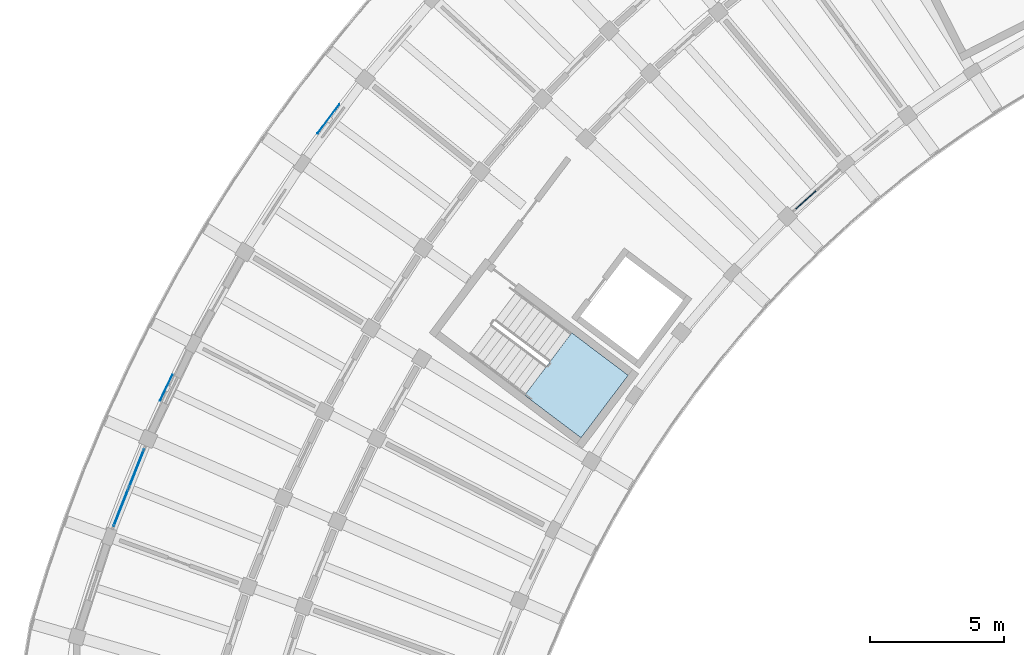
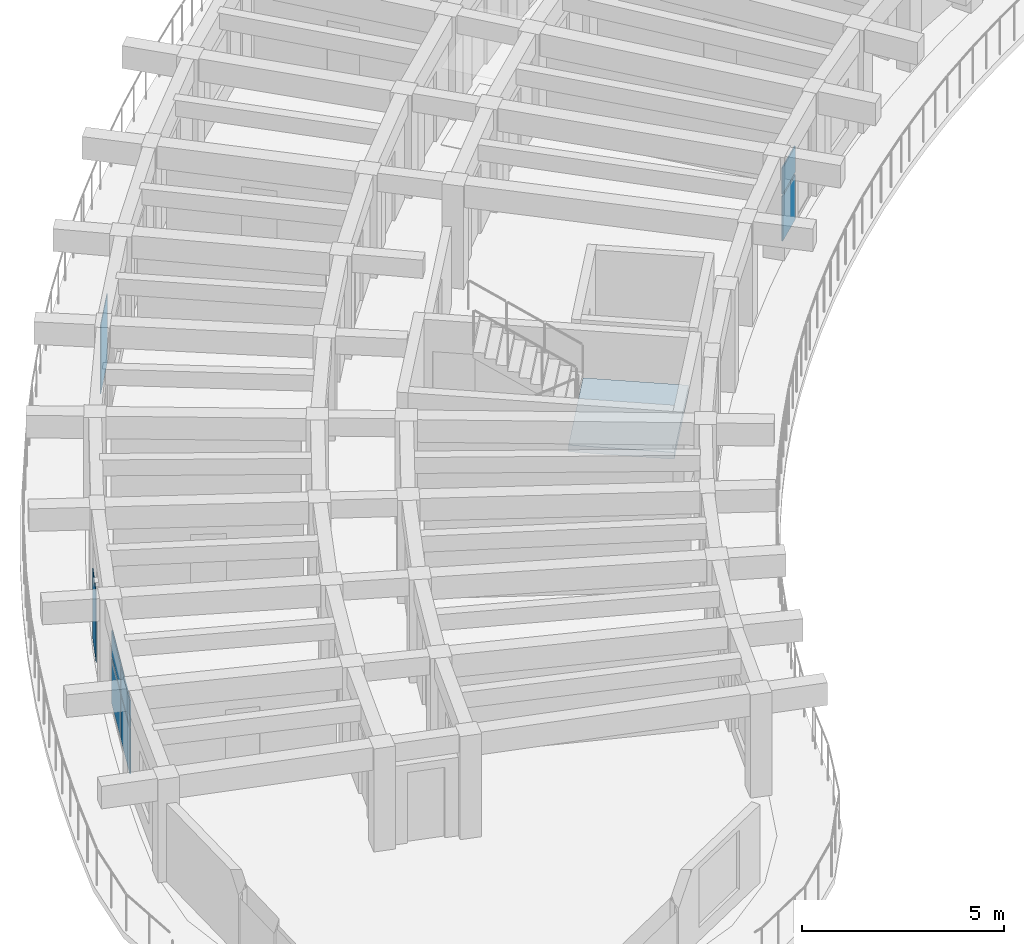
# One storey, part 32 of 81: 8 plates, 1 slab, 3 elements without a shape of their own.
"""IFC4 building model written with IfcOpenShell, lengths in metres."""

from ifc_helpers import new_model, si_unit, direction, frame, origin, origin_2d, place, context, subcontext, project, spatial, polyline, rectangle, outline, extrude, material, layer, layer_set, type_object, element, aggregate, save


model = new_model("IFC4")

# Units and contexts
model_context = context("Model", 3, precision=1e-05, world=origin(), true_north=direction((0.0, 1.0)))
body_context = subcontext(model_context, "Body", "Model", "MODEL_VIEW")
ifc_project = project(units=[si_unit("LENGTHUNIT", "METRE"), si_unit("AREAUNIT", "SQUARE_METRE"), si_unit("VOLUMEUNIT", "CUBIC_METRE"), si_unit("PLANEANGLEUNIT", "RADIAN"), si_unit("MASSUNIT", "GRAM", prefix="KILO")], contexts=[model_context])

# Site, building, storey
site_placement = place(None, origin())
site = spatial("IfcSite", under=ifc_project, at=site_placement, CompositionType="ELEMENT")
building_placement = place(site_placement, origin())
building = spatial("IfcBuilding", under=site, at=building_placement, Name="Tanwirah Colonnade Gardens", CompositionType="ELEMENT")
storey_placement = place(building_placement, frame((0.0, 0.0, 18.919921875)))
storey = spatial("IfcBuildingStorey", under=building, at=storey_placement, Name="L05", CompositionType="ELEMENT", Elevation=18.919921875)

# Curtain wall, plates
ifc_material_1 = material(Name="Bronze-anodised aluminium and solar-control low-E glass", Category="aluminium")
curtain_wall_type_1 = type_object("IfcCurtainWallType", Name="CW-GDN", PredefinedType="NOTDEFINED", material=ifc_material_1)
curtain_wall_1_placement = place(storey_placement, origin())
curtain_wall_1 = element("IfcCurtainWall", 1, at=curtain_wall_1_placement, inside=storey, type_object=curtain_wall_type_1, Name="Curtain Wall CW-A-L05-IN-09", PredefinedType="NOTDEFINED")
ifc_material_2 = material(Name="Acoustic solar-control low-E double glazing", Category="glass")
ifc_layer_1 = layer(ifc_material_2, 0.031982421875)
ifc_layer_set_1 = layer_set([ifc_layer_1], Name="Acoustic solar-control low-E double glazing")
plate_type_1 = type_object("IfcPlateType", Name="CWP-GLZ32", PredefinedType="CURTAIN_PANEL", material=ifc_layer_set_1)
plate_1_placement = place(storey_placement, frame((34.93896484375, 92.915283203125, 0.070068359375), z_axis=(0.0, 0.0, 1.0), x_axis=(-0.744440162253, -0.667689182798, 0.0)))
plate_1 = element("IfcPlate", 2, at=plate_1_placement, type_object=plate_type_1, Name="CW-GDN panel 2.1", PredefinedType="CURTAIN_PANEL", context=body_context, shape_type="SweptSolid", body=[
    extrude(rectangle(XDim=1.000244140625, YDim=0.031982421875, at=origin_2d()), origin(), (0.0, 0.0, 1.0), 1.35498046875),
])
plate_2_placement = place(storey_placement, frame((34.93896484375, 92.915283203125, 1.4951171875), z_axis=(0.0, 0.0, 1.0), x_axis=(-0.744440162253, -0.667689182798, 0.0)))
plate_2 = element("IfcPlate", 3, at=plate_2_placement, type_object=plate_type_1, Name="CW-GDN panel 2.2", PredefinedType="CURTAIN_PANEL", context=body_context, shape_type="SweptSolid", body=[
    extrude(rectangle(XDim=1.000244140625, YDim=0.031982421875, at=origin_2d()), origin(), (0.0, 0.0, 1.0), 0.789794921875),
])
aggregate(curtain_wall_1, [plate_1, plate_2])

curtain_wall_type_2 = type_object("IfcCurtainWallType", Name="CW-LOB", PredefinedType="NOTDEFINED", material=ifc_material_1)
curtain_wall_2_placement = place(storey_placement, origin())
curtain_wall_2 = element("IfcCurtainWall", 4, at=curtain_wall_2_placement, inside=storey, type_object=curtain_wall_type_2, Name="Curtain Wall CW-A-L05-OUT-16", PredefinedType="NOTDEFINED")
plate_3_placement = place(storey_placement, frame((9.976806640625, 82.90283203125, 0.070068359375), z_axis=(0.0, 0.0, 1.0), x_axis=(-0.369207655713, -0.929346924976, 0.0)))
plate_3 = element("IfcPlate", 5, at=plate_3_placement, type_object=plate_type_1, Name="CW-LOB panel 1.1", PredefinedType="CURTAIN_PANEL", context=body_context, shape_type="SweptSolid", body=[
    extrude(rectangle(XDim=1.497802734375, YDim=0.031982421875, at=origin_2d()), origin(), (0.0, 0.0, 1.0), 1.35498046875),
])
plate_4_placement = place(storey_placement, frame((9.976806640625, 82.90283203125, 1.4951171875), z_axis=(0.0, 0.0, 1.0), x_axis=(-0.369207655713, -0.929346924976, 0.0)))
plate_4 = element("IfcPlate", 6, at=plate_4_placement, type_object=plate_type_1, Name="CW-LOB panel 1.2", PredefinedType="CURTAIN_PANEL", context=body_context, shape_type="SweptSolid", body=[
    extrude(rectangle(XDim=1.497802734375, YDim=0.031982421875, at=origin_2d()), origin(), (0.0, 0.0, 1.0), 0.789794921875),
])
plate_5_placement = place(storey_placement, frame((9.39794921875, 81.44580078125, 0.070068359375), z_axis=(0.0, 0.0, 1.0), x_axis=(-0.369207655713, -0.929346924976, 0.0)))
plate_5 = element("IfcPlate", 7, at=plate_5_placement, type_object=plate_type_1, Name="CW-LOB panel 2.1", PredefinedType="CURTAIN_PANEL", context=body_context, shape_type="SweptSolid", body=[
    extrude(rectangle(XDim=1.497802734375, YDim=0.031982421875, at=origin_2d()), origin(), (0.0, 0.0, 1.0), 1.35498046875),
])
plate_6_placement = place(storey_placement, frame((9.39794921875, 81.44580078125, 1.4951171875), z_axis=(0.0, 0.0, 1.0), x_axis=(-0.369207655713, -0.929346924976, 0.0)))
plate_6 = element("IfcPlate", 8, at=plate_6_placement, type_object=plate_type_1, Name="CW-LOB panel 2.2", PredefinedType="CURTAIN_PANEL", context=body_context, shape_type="SweptSolid", body=[
    extrude(rectangle(XDim=1.497802734375, YDim=0.031982421875, at=origin_2d()), origin(), (0.0, 0.0, 1.0), 0.789794921875),
])
aggregate(curtain_wall_2, [plate_3, plate_4, plate_5, plate_6])

# Plates
ifc_material_3 = material(Name="Laser-cut bronze aluminium solar screen plate", Category="aluminium")
ifc_layer_2 = layer(ifc_material_3, 0.01611328125)
ifc_layer_set_2 = layer_set([ifc_layer_2], Name="Laser-cut bronze aluminium solar screen plate")
plate_type_2 = type_object("IfcPlateType", Name="PLT-SCR16", PredefinedType="SHEET", material=ifc_layer_set_2)
plate_7_placement = place(storey_placement, frame((17.12890625, 95.93017578125, 0.0), z_axis=(0.0, 0.0, 1.0), x_axis=(-0.598713571255, -0.800963207392, 0.0)))
element("IfcPlate", 9, at=plate_7_placement, inside=storey, type_object=plate_type_2, Name="Perforated solar screen plate A-L05-12", PredefinedType="SHEET", context=body_context, shape_type="SweptSolid", body=[
    extrude(rectangle(XDim=1.35009765625, YDim=0.01611328125, at=origin_2d()), origin(), (0.0, 0.0, 1.0), 2.10009765625),
])
plate_8_placement = place(storey_placement, frame((11.077392578125, 85.90283203125, 0.0), z_axis=(0.0, 0.0, 1.0), x_axis=(-0.429636092721, -0.903002119506, 0.0)))
element("IfcPlate", 10, at=plate_8_placement, inside=storey, type_object=plate_type_2, Name="Perforated solar screen plate A-L05-15", PredefinedType="SHEET", context=body_context, shape_type="SweptSolid", body=[
    extrude(rectangle(XDim=1.080078125, YDim=0.01611328125, at=origin_2d()), origin(), (0.0, 0.0, 1.0), 2.10009765625),
])

# Stair, slab
ifc_material_4 = material(Name="Precast concrete C40/50", Category="concrete")
stair_type = type_object("IfcStairType", Name="ST-RES168", PredefinedType="HALF_TURN_STAIR", material=ifc_material_4)
stair_placement = place(storey_placement, origin())
stair = element("IfcStair", 11, at=stair_placement, inside=storey, type_object=stair_type, Name="L05 Block A Core 2 Exit Stair", PredefinedType="HALF_TURN_STAIR")
ifc_layer_3 = layer(ifc_material_4, 0.205078125)
ifc_layer_set_3 = layer_set([ifc_layer_3], Name="Precast concrete C40/50")
slab_type = type_object("IfcSlabType", Name="SL-LND-205", PredefinedType="LANDING", material=ifc_layer_set_3)
slab_placement = place(storey_placement, frame((0.0, 0.0, 1.47509765625)))
slab = element("IfcSlab", 12, at=slab_placement, type_object=slab_type, Name="ST-A2 landing 1", PredefinedType="LANDING", context=body_context, shape_type="SweptSolid", body=[
    extrude(outline(polyline([(24.44970703125, 85.623046875), (26.553955078125, 84.037353515625), (28.311279296875, 86.369384765625), (26.20703125, 87.955078125), (24.44970703125, 85.623046875)])), origin(), (0.0, 0.0, 1.0), 0.205078125),
])
aggregate(stair, [slab])

save(model, "model.ifc")
